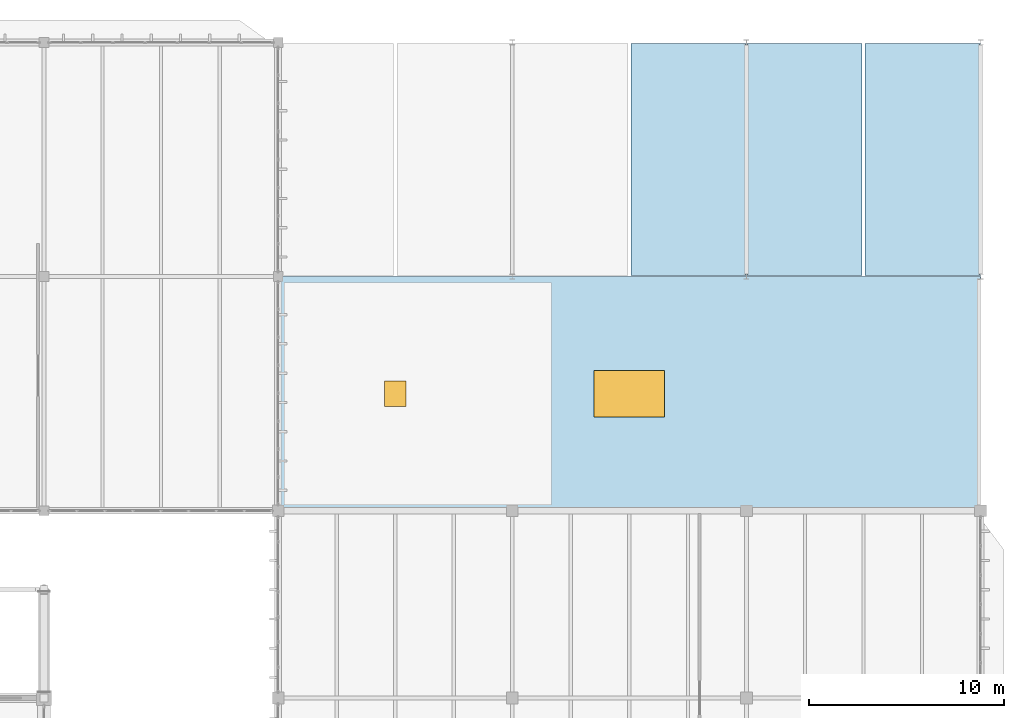
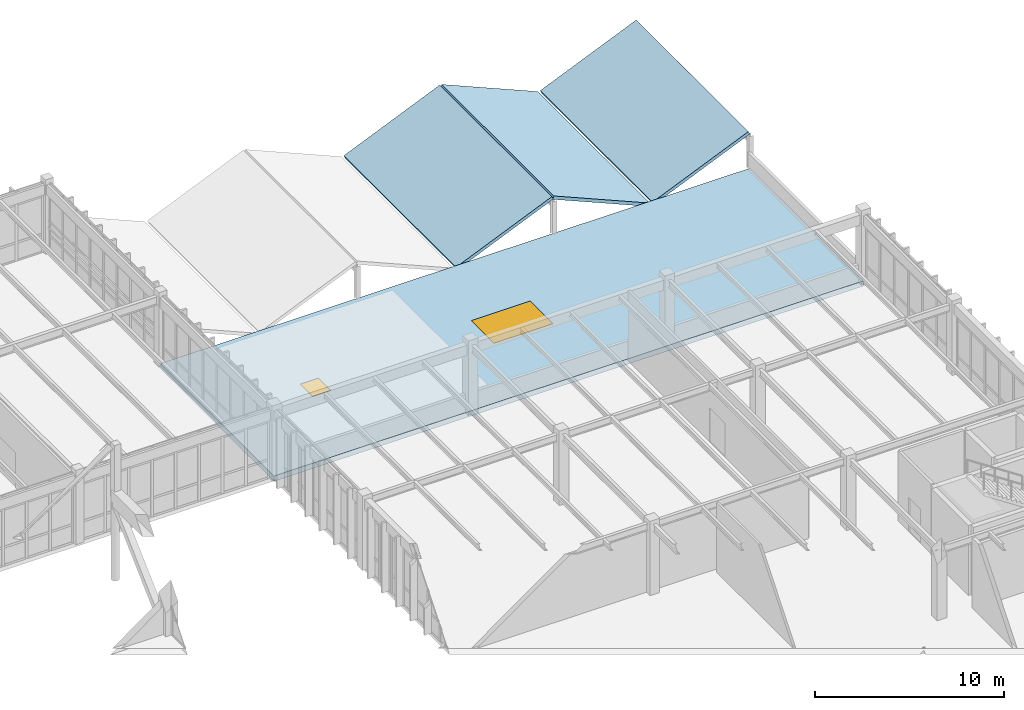
# One storey, part 208 of 236: 4 slabs, 1 door, 1 window, 2 openings.
"""IFC4 building model written with IfcOpenShell, lengths in metres."""

from ifc_helpers import new_model, si_unit, direction, frame, origin, origin_2d, place, context, subcontext, project, spatial, polyline, rectangle, outline, extrude, material, layer, layer_set, type_object, element, fill, save


model = new_model("IFC4")

# Units and contexts
model_context = context("Model", 3, precision=1e-05, world=origin(), true_north=direction((0.0, 1.0)))
body_context = subcontext(model_context, "Body", "Model", "MODEL_VIEW")
ifc_project = project(units=[si_unit("LENGTHUNIT", "METRE"), si_unit("AREAUNIT", "SQUARE_METRE"), si_unit("VOLUMEUNIT", "CUBIC_METRE"), si_unit("PLANEANGLEUNIT", "RADIAN"), si_unit("MASSUNIT", "GRAM", prefix="KILO")], contexts=[model_context])

# Site, building, storey
site_placement = place(None, origin())
site = spatial("IfcSite", under=ifc_project, at=site_placement, CompositionType="ELEMENT")
building_placement = place(site_placement, origin())
building = spatial("IfcBuilding", under=site, at=building_placement, Name="Pandanus Reach Market Hall", CompositionType="ELEMENT")
storey_placement = place(building_placement, frame((0.0, 0.0, 5.39990234375)))
storey = spatial("IfcBuildingStorey", under=building, at=storey_placement, Name="L01", CompositionType="ELEMENT", Elevation=5.39990234375)

# Slabs
ifc_material_1 = material(Name="Concrete N50 (50 MPa)", Category="concrete")
ifc_layer_1 = layer(ifc_material_1, 0.205078125, Name="RF-BFY-205")
ifc_layer_set_1 = layer_set([ifc_layer_1], Name="Concrete N50 (50 MPa)")
slab_type_1 = type_object("IfcSlabType", Name="RF-BFY-205", PredefinedType="ROOF", material=ifc_layer_set_1)
for number, where, z_axis, x_axis, name in (
    (1, (162.080078125, 108.06005859375, -0.159912109375), (-0.39373902752, 0.0, 0.91922226812), (0.91922226812, 0.0, 0.39373902752), "East service hall butterfly shell roof V5E.2E"),
    (2, (168.06005859375, 108.06005859375, 2.35009765625), (0.39373902752, 0.0, 0.91922226812), (0.91922226812, 0.0, -0.39373902752), "East service hall butterfly shell roof V5E.3W"),
    (3, (174.080078125, 108.06005859375, -0.159912109375), (-0.39373902752, 0.0, 0.91922226812), (0.91922226812, 0.0, 0.39373902752), "East service hall butterfly shell roof V5E.3E"),
):
    element("IfcSlab", number, at=place(storey_placement, frame(where, z_axis=z_axis, x_axis=x_axis)), inside=storey, type_object=slab_type_1, Name=name, PredefinedType="ROOF", context=body_context, shape_type="SweptSolid", body=[
        extrude(outline(polyline([(0.0, 0.0), (6.37480562044639, 0.0), (6.37480562044639, 11.8798828125), (0.0, 11.8798828125), (0.0, 0.0)])), origin(), (0.0, 0.0, -1.0), 0.205078125),
    ])

# Slab, openings, window, door
ifc_material_2 = material(Name="Concrete N40 (40 MPa)", Category="concrete")
ifc_layer_2 = layer(ifc_material_2, 0.340087890625, Name="RF-FLT-340")
ifc_layer_set_2 = layer_set([ifc_layer_2], Name="Concrete N40 (40 MPa)")
slab_type_2 = type_object("IfcSlabType", Name="RF-FLT-340", PredefinedType="ROOF", material=ifc_layer_set_2)
slab_placement = place(storey_placement, frame((0.0, 0.0, -0.33984375)))
slab = element("IfcSlab", 4, at=slab_placement, inside=storey, type_object=slab_type_2, Name="Concrete roof slab RF-L01-V5E", PredefinedType="ROOF", context=body_context, shape_type="SweptSolid", body=[
    extrude(outline(polyline([(144.0, 96.0), (180.0, 96.0), (180.0, 108.0), (144.0, 108.0), (144.0, 96.0)]), holes=[polyline([(160.199951171875, 100.800048828125), (163.800048828125, 100.800048828125), (163.800048828125, 103.199951171875), (160.199951171875, 103.199951171875), (160.199951171875, 100.800048828125)]), polyline([(149.449951171875, 101.35009765625), (150.550048828125, 101.35009765625), (150.550048828125, 102.64990234375), (149.449951171875, 102.64990234375), (149.449951171875, 101.35009765625)])]), origin(), (0.0, 0.0, 1.0), 0.33984375),
])
opening_1_placement = place(slab_placement, frame((162.0, 102.0, -0.014892578125)))
opening_1 = element("IfcOpeningElement", 5, at=opening_1_placement, cuts=slab, Name="Opening SK-03", PredefinedType="OPENING", context=body_context, shape_type="SweptSolid", body=[
    extrude(rectangle(XDim=3.60009765625, YDim=2.39990234375, at=origin_2d()), origin(), (0.0, 0.0, 1.0), 0.369873046875),
])
opening_2_placement = place(slab_placement, frame((150.0, 102.0, -0.014892578125)))
opening_2 = element("IfcOpeningElement", 6, at=opening_2_placement, cuts=slab, Name="Opening TRP-110", PredefinedType="OPENING", context=body_context, shape_type="SweptSolid", body=[
    extrude(rectangle(XDim=1.10009765625, YDim=1.300048828125, at=origin_2d()), origin(), (0.0, 0.0, 1.0), 0.369873046875),
])
ifc_material_3 = material(Name="Solar-control double glazing", Category="glass")
window_type = type_object("IfcWindowType", Name="SK-03", PartitioningType="SINGLE_PANEL", PredefinedType="SKYLIGHT", material=ifc_material_3)
window_placement = place(slab_placement, frame((162.0, 102.0, 0.289794921875)))
window = element("IfcWindow", 7, at=window_placement, inside=storey, type_object=window_type, Name="Roof skylight SK-03 10", OverallHeight=2.39990234375, OverallWidth=3.60009765625, PartitioningType="SINGLE_PANEL", PredefinedType="SKYLIGHT", context=body_context, shape_type="SweptSolid", body=[
    extrude(rectangle(XDim=3.60009765625, YDim=2.39990234375, at=origin_2d()), origin(), (0.0, 0.0, 1.0), 0.050048828125),
])
fill(opening_1, window)
ifc_material_4 = material(Name="Insulated aluminium plant hatch door", Category="aluminium")
door_type = type_object("IfcDoorType", Name="TRP-110", OperationType="SINGLE_SWING_LEFT", PredefinedType="TRAPDOOR", material=ifc_material_4)
door_placement = place(slab_placement, frame((150.0, 102.0, 0.289794921875)))
door = element("IfcDoor", 8, at=door_placement, inside=storey, type_object=door_type, Name="Roof access trapdoor TRP-110 2", OperationType="SINGLE_SWING_LEFT", OverallHeight=1.300048828125, OverallWidth=1.10009765625, PredefinedType="TRAPDOOR", context=body_context, shape_type="SweptSolid", body=[
    extrude(rectangle(XDim=1.10009765625, YDim=1.300048828125, at=origin_2d()), origin(), (0.0, 0.0, 1.0), 0.050048828125),
])
fill(opening_2, door)

save(model, "model.ifc")
